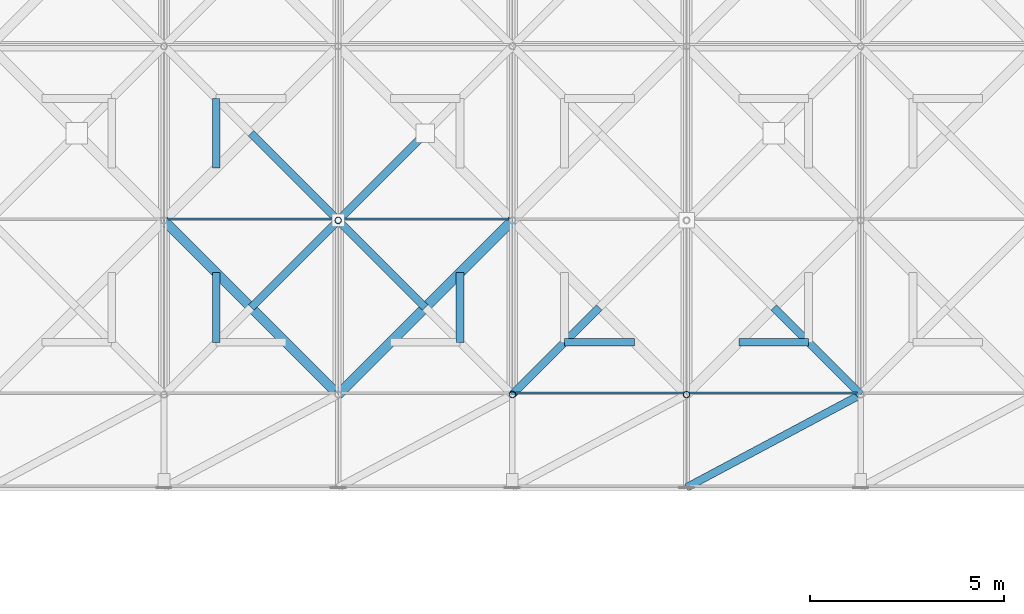
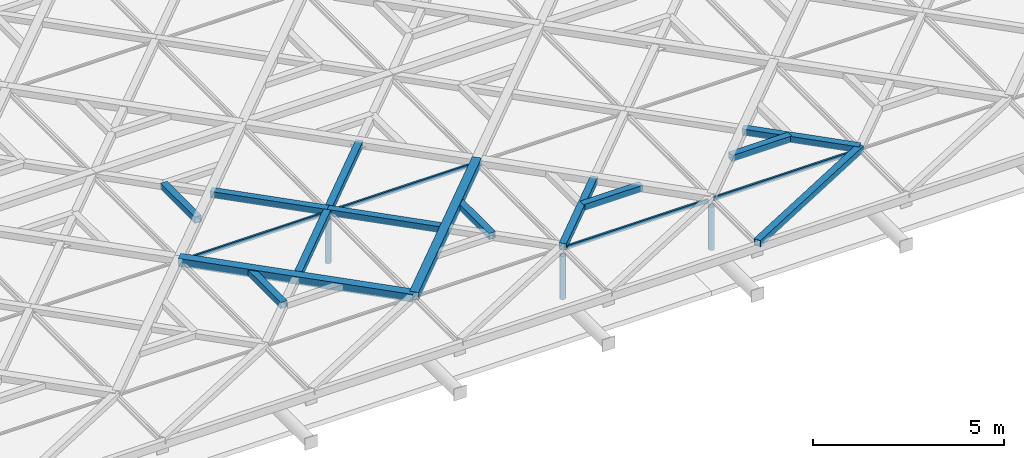
# One storey, part 19 of 80: 20 members, 4 elements without a shape of their own.
"""IFC4 building model written with IfcOpenShell, lengths in metres."""

import ifcopenshell
import ifcopenshell.guid

model = None  # the IFC model being written
_history = None  # IfcOwnerHistory: only IFC2X3 demands one
_inside = {}  # id of a spatial element -> (the spatial element, [elements in it])
_under = {}  # id of a project, library or spatial element -> (it, [spatial elements below it])
_declared = {}  # id of a project -> (the project, [libraries it declares])
_typed = {}  # id of a type object -> (the type object, [elements of that type])
_made_of = {}  # id of a material, layer set ... -> (it, [elements and type objects made of it])


def new_model(schema):
    """Start an empty IFC model of exactly this schema.

    Asked for "IFC4X3", IfcOpenShell would pick the latest addendum, in which some entities
    have other attributes; the version numbers below select the first issue.
    IFC2X3 requires an IfcOwnerHistory on every rooted entity: one is made here for all.
    """
    global model, _history
    if schema == "IFC4X3":
        model = ifcopenshell.file(schema_version=(4, 3, 0, 0))
    else:
        model = ifcopenshell.file(schema=schema)
    _inside.clear()
    _under.clear()
    _declared.clear()
    _typed.clear()
    _made_of.clear()
    _history = None
    if model.schema == "IFC2X3":
        org = make("IfcOrganization", Name="unknown")
        user = make(
            "IfcPersonAndOrganization",
            ThePerson=make("IfcPerson", FamilyName="unknown"),
            TheOrganization=org,
        )
        app = make(
            "IfcApplication",
            ApplicationDeveloper=org,
            Version="unknown",
            ApplicationFullName="unknown",
            ApplicationIdentifier="unknown",
        )
        _history = make(
            "IfcOwnerHistory",
            OwningUser=user,
            OwningApplication=app,
            ChangeAction="ADDED",
            CreationDate=0,
        )
    return model


def make(cls, **values):
    """One entity of the class cls with the attributes given. An attribute that is None is left unset."""
    return model.create_entity(
        cls, **{name: value for name, value in values.items() if value is not None}
    )


def rooted(cls, **values):
    """An entity with a GlobalId (a new one), such as an element, a storey or a relation."""
    return make(cls, GlobalId=ifcopenshell.guid.new(), OwnerHistory=_history, **values)


def si_unit(unit_type, name, prefix=None):
    """IfcSIUnit, for example si_unit("LENGTHUNIT", "METRE", prefix="MILLI")."""
    return make("IfcSIUnit", UnitType=unit_type, Prefix=prefix, Name=name)


def assignment(units):
    """IfcUnitAssignment: the units of a project."""
    return None if units is None else make("IfcUnitAssignment", Units=units)


def point(xyz):
    """IfcCartesianPoint."""
    return None if xyz is None else make("IfcCartesianPoint", Coordinates=xyz)


def direction(xyz):
    """IfcDirection."""
    return None if xyz is None else make("IfcDirection", DirectionRatios=xyz)


def frame(location, z_axis=None, x_axis=None):
    """IfcAxis2Placement3D, a coordinate frame: its origin and axes. An axis left out is left unset."""
    return make(
        "IfcAxis2Placement3D",
        Location=point(location),
        Axis=direction(z_axis),
        RefDirection=direction(x_axis),
    )


def frame_2d(location, x_axis=None):
    """IfcAxis2Placement2D, a coordinate frame in the plane: its origin and x axis."""
    return make(
        "IfcAxis2Placement2D", Location=point(location), RefDirection=direction(x_axis)
    )


def origin():
    """The frame at (0, 0, 0) with its axes left unset."""
    return frame((0.0, 0.0, 0.0))


def origin_2d():
    """The frame at (0, 0) in the plane with its x axis left unset."""
    return frame_2d((0.0, 0.0))


def place(relative_to, where):
    """IfcLocalPlacement: puts the frame where relative to a parent placement (None: the world)."""
    return make(
        "IfcLocalPlacement", PlacementRelTo=relative_to, RelativePlacement=where
    )


def context(
    kind, dimensions, precision=None, world=None, true_north=None, identifier=None
):
    """IfcGeometricRepresentationContext, for example the 3D "Model" context."""
    return make(
        "IfcGeometricRepresentationContext",
        ContextIdentifier=identifier,
        ContextType=kind,
        CoordinateSpaceDimension=dimensions,
        Precision=precision,
        WorldCoordinateSystem=world,
        TrueNorth=true_north,
    )


def subcontext(parent, identifier, kind, view, scale=None):
    """IfcGeometricRepresentationSubContext, for example "Body" below "Model"."""
    return make(
        "IfcGeometricRepresentationSubContext",
        ContextIdentifier=identifier,
        ContextType=kind,
        ParentContext=parent,
        TargetScale=scale,
        TargetView=view,
    )


def project(units=None, contexts=None):
    """IfcProject with its units and contexts."""
    return rooted(
        "IfcProject",
        Name="project",
        RepresentationContexts=contexts,
        UnitsInContext=assignment(units),
    )


def spatial(cls, under=None, at=None, **own):
    """A site, building, storey or space (cls), placed at a placement, below another one or the project."""
    s = rooted(cls, ObjectPlacement=at, **own)
    if under is not None:
        _under.setdefault(under.id(), (under, []))[1].append(s)
    return s


def profile(cls, at=None, kind="AREA", **sizes):
    """A parametric profile (cls). Its sizes go by their IFC names, for example OverallWidth=200.0."""
    return make(cls, ProfileType=kind, Position=at, **sizes)


def rectangle(**sizes):
    """IfcRectangleProfileDef."""
    return profile("IfcRectangleProfileDef", **sizes)


def hollow_rectangle(**sizes):
    """IfcRectangleHollowProfileDef."""
    return profile("IfcRectangleHollowProfileDef", **sizes)


def hollow_circle(**sizes):
    """IfcCircleHollowProfileDef."""
    return profile("IfcCircleHollowProfileDef", **sizes)


def extrude(swept, where, along, depth):
    """IfcExtrudedAreaSolid: the profile swept, set in the frame where, extruded along a direction by depth."""
    return make(
        "IfcExtrudedAreaSolid",
        SweptArea=swept,
        Position=where,
        ExtrudedDirection=direction(along),
        Depth=depth,
    )


def shape(context_of_items, identifier, shape_type, items):
    """IfcShapeRepresentation: the items that make up one representation, for example the "Body"."""
    return make(
        "IfcShapeRepresentation",
        ContextOfItems=context_of_items,
        RepresentationIdentifier=identifier,
        RepresentationType=shape_type,
        Items=items,
    )


def material(Name=None, Category=None):
    """IfcMaterial."""
    return make("IfcMaterial", Name=Name, Category=Category)


def material_profile(
    of_material, cross_section, Name=None, Category=None, Priority=None
):
    """IfcMaterialProfile: a cross section and its material."""
    return make(
        "IfcMaterialProfile",
        Name=Name,
        Material=of_material,
        Profile=cross_section,
        Priority=Priority,
        Category=Category,
    )


def profile_set(profiles, Name=None, composite=None):
    """IfcMaterialProfileSet."""
    return make(
        "IfcMaterialProfileSet",
        Name=Name,
        MaterialProfiles=profiles,
        CompositeProfile=composite,
    )


def made_of(thing, what):
    """Note that an element or type object is made of a material, layer set ...; save() writes the relation."""
    if what is not None:
        _made_of.setdefault(what.id(), (what, []))[1].append(thing)
    return thing


def type_object(cls, material=None, **own):
    """A type object (cls), such as IfcWallType, which elements share."""
    return made_of(rooted(cls, **own), material)


def element(
    cls,
    number,
    at=None,
    inside=None,
    cuts=None,
    type_object=None,
    material=None,
    context=None,
    identifier="Body",
    shape_type=None,
    held_by="IfcProductDefinitionShape",
    body=None,
    shapes=None,
    **own,
):
    """One element of the class cls, such as IfcWall. Its Tag is "e" and its number.

    at: its placement. inside: the storey or other place that contains it. cuts: it is an
    opening in that element (IfcRelVoidsElement). A single representation is given by context,
    identifier, shape_type and body (its items); several are given by shapes. held_by: the class
    of the entity that holds the representations. save() writes the other relations.
    """
    e = rooted(cls, Tag="e%d" % number, ObjectPlacement=at, **own)
    if body is not None:
        shapes = [shape(context, identifier, shape_type, body)]
    if shapes is not None:
        e.Representation = make(held_by, Representations=shapes)
    if inside is not None:
        _inside.setdefault(inside.id(), (inside, []))[1].append(e)
    if cuts is not None:
        rooted(
            "IfcRelVoidsElement", RelatingBuildingElement=cuts, RelatedOpeningElement=e
        )
    if type_object is not None:
        _typed.setdefault(type_object.id(), (type_object, []))[1].append(e)
    return made_of(e, material)


def aggregate(whole, parts):
    """IfcRelAggregates: a whole, such as a stair, and the parts it consists of."""
    return rooted("IfcRelAggregates", RelatingObject=whole, RelatedObjects=parts)


def save(model, path):
    """Write the relations noted so far, then the file.

    IfcRelAggregates (storeys below a building ...), IfcRelContainedInSpatialStructure (elements
    in a storey), IfcRelDefinesByType, IfcRelAssociatesMaterial and IfcRelDeclares: one each for
    every whole, place, type object, material and project.
    """
    for whole, parts in _under.values():
        aggregate(whole, parts)
    for where, things in _inside.values():
        rooted(
            "IfcRelContainedInSpatialStructure",
            RelatedElements=things,
            RelatingStructure=where,
        )
    for kind, things in _typed.values():
        rooted("IfcRelDefinesByType", RelatedObjects=things, RelatingType=kind)
    for what, things in _made_of.values():
        rooted("IfcRelAssociatesMaterial", RelatedObjects=things, RelatingMaterial=what)
    for by, libraries in _declared.values():
        rooted("IfcRelDeclares", RelatingContext=by, RelatedDefinitions=libraries)
    model.write(path)


model = new_model("IFC4")

# Units and contexts
model_context = context("Model", 3, precision=1e-05, world=origin(), true_north=direction((0.0, 1.0)))
body_context = subcontext(model_context, "Body", "Model", "MODEL_VIEW")
ifc_project = project(units=[si_unit("LENGTHUNIT", "METRE"), si_unit("AREAUNIT", "SQUARE_METRE"), si_unit("VOLUMEUNIT", "CUBIC_METRE"), si_unit("PLANEANGLEUNIT", "RADIAN"), si_unit("MASSUNIT", "GRAM", prefix="KILO"), si_unit("THERMODYNAMICTEMPERATUREUNIT", "KELVIN"), si_unit("POWERUNIT", "WATT")], contexts=[model_context])

# Site, building, storey
site_placement = place(None, origin())
site = spatial("IfcSite", under=ifc_project, at=site_placement, CompositionType="ELEMENT")
building_placement = place(site_placement, origin())
building = spatial("IfcBuilding", under=site, at=building_placement, Name="Tallowbark Science Centre", CompositionType="ELEMENT")
storey_placement = place(building_placement, frame((0.0, 0.0, 25.949951171875)))
storey = spatial("IfcBuildingStorey", under=building, at=storey_placement, Name="ROOF", CompositionType="ELEMENT", Elevation=25.949951171875)

# Curtain wall, member
ifc_material_1 = material(Name="Blue-Tinted Laminated Low-E Skylight Glass", Category="glass")
curtain_wall_type = type_object("IfcCurtainWallType", Name="CW-SKY-ROOF", PredefinedType="NOTDEFINED", material=ifc_material_1)
curtain_wall_1_placement = place(storey_placement, origin())
curtain_wall_1 = element("IfcCurtainWall", 1, at=curtain_wall_1_placement, inside=storey, type_object=curtain_wall_type, Name="Exhibition Star-Screen Skylight Bay 4", PredefinedType="NOTDEFINED")
ifc_material_2 = material(Name="Anodised Architectural Aluminium Alloy 6063-T6", Category="aluminium")
ifc_material_profile_1 = material_profile(ifc_material_2, rectangle(XDim=0.054931640625, YDim=0.1201171875, at=origin_2d()), Name="ALU55x120")
ifc_profile_set_1 = profile_set([ifc_material_profile_1], Name="Anodised Architectural Aluminium Alloy 6063-T6")
member_type_1 = type_object("IfcMemberType", Name="CWM-SKY-TRN", PredefinedType="USERDEFINED", material=ifc_profile_set_1)
member_1_placement = place(storey_placement, frame((67.580078125, 9.0400390625, 0.35205078125), z_axis=(1.0, 0.0, 0.0), x_axis=(0.0, 1.0, 0.0)))
member_1 = element("IfcMember", 2, at=member_1_placement, type_object=member_type_1, Name="Skylight Bay 4 Transom 3", ObjectType="TRANSOM", PredefinedType="USERDEFINED", context=body_context, shape_type="SweptSolid", body=[
    extrude(rectangle(XDim=0.054931640625, YDim=0.1201171875, at=origin_2d()), origin(), (0.0, 0.0, 1.0), 4.33984375),
])
aggregate(curtain_wall_1, [member_1])

curtain_wall_2_placement = place(storey_placement, origin())
curtain_wall_2 = element("IfcCurtainWall", 3, at=curtain_wall_2_placement, inside=storey, type_object=curtain_wall_type, Name="Exhibition Star-Screen Skylight Bay 5", PredefinedType="NOTDEFINED")
member_2_placement = place(storey_placement, frame((72.080078125, 9.0400390625, 0.35205078125), z_axis=(1.0, 0.0, 0.0), x_axis=(0.0, 1.0, 0.0)))
member_2 = element("IfcMember", 4, at=member_2_placement, type_object=member_type_1, Name="Skylight Bay 5 Transom 3", ObjectType="TRANSOM", PredefinedType="USERDEFINED", context=body_context, shape_type="SweptSolid", body=[
    extrude(rectangle(XDim=0.054931640625, YDim=0.1201171875, at=origin_2d()), origin(), (0.0, 0.0, 1.0), 4.33984375),
])
aggregate(curtain_wall_2, [member_2])

curtain_wall_3_placement = place(storey_placement, origin())
curtain_wall_3 = element("IfcCurtainWall", 5, at=curtain_wall_3_placement, inside=storey, type_object=curtain_wall_type, Name="Exhibition Star-Screen Skylight Bay 6", PredefinedType="NOTDEFINED")
member_3_placement = place(storey_placement, frame((76.580078125, 4.5400390625, 0.35205078125), z_axis=(1.0, 0.0, 0.0), x_axis=(0.0, 1.0, 0.0)))
member_3 = element("IfcMember", 6, at=member_3_placement, type_object=member_type_1, Name="Skylight Bay 6 Transom 2", ObjectType="TRANSOM", PredefinedType="USERDEFINED", context=body_context, shape_type="SweptSolid", body=[
    extrude(rectangle(XDim=0.054931640625, YDim=0.1201171875, at=origin_2d()), origin(), (0.0, 0.0, 1.0), 4.33984375),
])
aggregate(curtain_wall_3, [member_3])

curtain_wall_4_placement = place(storey_placement, origin())
curtain_wall_4 = element("IfcCurtainWall", 7, at=curtain_wall_4_placement, inside=storey, type_object=curtain_wall_type, Name="Exhibition Star-Screen Skylight Bay 7", PredefinedType="NOTDEFINED")
member_4_placement = place(storey_placement, frame((81.080078125, 4.5400390625, 0.35205078125), z_axis=(1.0, 0.0, 0.0), x_axis=(0.0, 1.0, 0.0)))
member_4 = element("IfcMember", 8, at=member_4_placement, type_object=member_type_1, Name="Skylight Bay 7 Transom 2", ObjectType="TRANSOM", PredefinedType="USERDEFINED", context=body_context, shape_type="SweptSolid", body=[
    extrude(rectangle(XDim=0.054931640625, YDim=0.1201171875, at=origin_2d()), origin(), (0.0, 0.0, 1.0), 4.33984375),
])
aggregate(curtain_wall_4, [member_4])

# Members
ifc_material_3 = material(Name="White Architectural Painted Steel Grade C350L0 (350 MPa)", Category="steel")
ifc_material_profile_2 = material_profile(ifc_material_3, hollow_rectangle(XDim=0.25, YDim=0.25, WallThickness=0.009033203125, at=origin_2d()), Name="250x250x9.0SHS")
ifc_profile_set_2 = profile_set([ifc_material_profile_2], Name="White Architectural Painted Steel Grade C350L0 (350 MPa)")
member_type_2 = type_object("IfcMemberType", Name="SCR-CHD200", PredefinedType="CHORD", material=ifc_profile_set_2)
for number, where, z_axis, x_axis, name in (
    (9, (72.0, 4.5, 0.449951171875), (0.707106781187, 0.707106781187, 0.0), (-0.707106781187, 0.707106781187, 0.0), "Star Screen Octagram Diamond Chord TOP-58-1"),
    (10, (67.5, 9.0, 0.449951171875), (0.707106781187, -0.707106781187, 0.0), (0.707106781187, 0.707106781187, 0.0), "Star Screen Octagram Diamond Chord TOP-58-4"),
):
    element("IfcMember", number, at=place(storey_placement, frame(where, z_axis=z_axis, x_axis=x_axis)), inside=storey, type_object=member_type_2, Name=name, PredefinedType="CHORD", context=body_context, shape_type="SweptSolid", body=[
        extrude(hollow_rectangle(XDim=0.25, YDim=0.25, WallThickness=0.009033203125, at=origin_2d()), origin(), (0.0, 0.0, 1.0), 6.364013671875),
    ])
ifc_material_profile_3 = material_profile(ifc_material_3, hollow_rectangle(XDim=0.199951171875, YDim=0.199951171875, WallThickness=0.009033203125, at=origin_2d()), Name="200x200x9.0SHS")
ifc_profile_set_3 = profile_set([ifc_material_profile_3], Name="White Architectural Painted Steel Grade C350L0 (350 MPa)")
member_type_3 = type_object("IfcMemberType", Name="SCR-STAR139", PredefinedType="BRACE", material=ifc_profile_set_3)
member_5_placement = place(storey_placement, frame((69.75, 6.75, 0.449951171875), z_axis=(0.707106781187, 0.707106781187, 0.0), x_axis=(-0.707106781187, 0.707106781187, 0.0)))
element("IfcMember", 11, at=member_5_placement, inside=storey, type_object=member_type_3, Name="Star Screen Continuous X-Diagonal D1M TOP-58", PredefinedType="BRACE", context=body_context, shape_type="SweptSolid", body=[
    extrude(hollow_rectangle(XDim=0.199951171875, YDim=0.199951171875, WallThickness=0.009033203125, at=origin_2d()), origin(), (0.0, 0.0, 1.0), 6.364013671875),
])
for number, where, z_axis, x_axis, name in (
    (12, (69.75, 11.25, 0.449951171875), (0.707106781187, -0.707106781187, 0.0), (0.707106781187, 0.707106781187, 0.0), "Star Screen Split X-Diagonal D2B TOP-58"),
    (13, (72.0, 9.0, 0.449951171875), (0.707106781187, -0.707106781187, 0.0), (0.707106781187, 0.707106781187, 0.0), "Star Screen Split X-Diagonal D2C TOP-58"),
    (14, (76.5, 4.5, 0.449951171875), (0.707106781187, 0.707106781187, 0.0), (-0.707106781187, 0.707106781187, 0.0), "Star Screen Continuous X-Diagonal D1A TOP-62"),
    (15, (83.25, 6.75, 0.449951171875), (0.707106781187, -0.707106781187, 0.0), (0.707106781187, 0.707106781187, 0.0), "Star Screen Split X-Diagonal D2D TOP-62"),
):
    element("IfcMember", number, at=place(storey_placement, frame(where, z_axis=z_axis, x_axis=x_axis)), inside=storey, type_object=member_type_3, Name=name, PredefinedType="BRACE", context=body_context, shape_type="SweptSolid", body=[
        extrude(hollow_rectangle(XDim=0.199951171875, YDim=0.199951171875, WallThickness=0.009033203125, at=origin_2d()), origin(), (0.0, 0.0, 1.0), 3.181884765625),
    ])
member_6_placement = place(storey_placement, frame((81.0, 2.10009765625, 0.449951171875), z_axis=(0.882360891967, 0.470573327259, 0.0), x_axis=(-0.470573327259, 0.882360891967, 0.0)))
element("IfcMember", 16, at=member_6_placement, inside=storey, type_object=member_type_3, Name="Top Perimeter Gap Star Diagonal 7-1", PredefinedType="BRACE", context=body_context, shape_type="SweptSolid", body=[
    extrude(hollow_rectangle(XDim=0.199951171875, YDim=0.199951171875, WallThickness=0.009033203125, at=origin_2d()), origin(), (0.0, 0.0, 1.0), 5.099853515625),
])
ifc_material_profile_4 = material_profile(ifc_material_3, hollow_rectangle(XDim=0.199951171875, YDim=0.199951171875, WallThickness=0.009033203125, at=origin_2d()), Name="200x200x9.0SHS")
ifc_profile_set_4 = profile_set([ifc_material_profile_4], Name="White Architectural Painted Steel Grade C350L0 (350 MPa)")
member_type_4 = type_object("IfcMemberType", Name="SCR-SUB150", PredefinedType="BRACE", material=ifc_profile_set_4)
for number, where, z_axis, x_axis, name in (
    (17, (68.85009765625, 5.85009765625, 0.449951171875), (0.0, 1.0, 0.0), (-1.0, 0.0, 0.0), "Star Screen Octagram Point Ray TOP-58-2"),
    (18, (75.14990234375, 5.85009765625, 0.449951171875), (0.0, 1.0, 0.0), (-1.0, 0.0, 0.0), "Star Screen Octagram Point Ray TOP-58-4"),
    (19, (68.85009765625, 12.14990234375, 0.449951171875), (0.0, -1.0, 0.0), (1.0, 0.0, 0.0), "Star Screen Octagram Point Ray TOP-58-8"),
    (20, (77.85009765625, 5.85009765625, 0.449951171875), (1.0, 0.0, 0.0), (0.0, 1.0, 0.0), "Star Screen Octagram Point Ray TOP-62-1"),
    (21, (84.14990234375, 5.85009765625, 0.449951171875), (-1.0, 0.0, 0.0), (0.0, -1.0, 0.0), "Star Screen Octagram Point Ray TOP-62-3"),
):
    element("IfcMember", number, at=place(storey_placement, frame(where, z_axis=z_axis, x_axis=x_axis)), inside=storey, type_object=member_type_4, Name=name, PredefinedType="BRACE", context=body_context, shape_type="SweptSolid", body=[
        extrude(hollow_rectangle(XDim=0.199951171875, YDim=0.199951171875, WallThickness=0.009033203125, at=origin_2d()), origin(), (0.0, 0.0, 1.0), 1.7998046875),
    ])
ifc_material_profile_5 = material_profile(ifc_material_3, hollow_circle(Radius=0.084228515625, WallThickness=0.007080078125, at=origin_2d()), Name="168.3x7.1CHS")
ifc_profile_set_5 = profile_set([ifc_material_profile_5], Name="White Architectural Painted Steel Grade C350L0 (350 MPa)")
member_type_5 = type_object("IfcMemberType", Name="TR-WEB168", PredefinedType="BRACE", material=ifc_profile_set_5)
for number, where, z_axis, x_axis, name in (
    (22, (72.0, 9.0, -1.199951171875), (0.0, 0.0, 1.0), (1.0, 0.0, 0.0), "Exhibition Roof Truss Web 4-9"),
    (23, (76.5, 4.5, -1.199951171875), (0.0, 0.0, 1.0), (1.0, 0.0, 0.0), "Exhibition Roof Truss Web 5-4.5"),
    (24, (81.0, 4.5, -1.199951171875), (0.0, 0.0, 1.0), (1.0, 0.0, 0.0), "Exhibition Roof Truss Web 6-4.5"),
):
    element("IfcMember", number, at=place(storey_placement, frame(where, z_axis=z_axis, x_axis=x_axis)), inside=storey, type_object=member_type_5, Name=name, PredefinedType="BRACE", context=body_context, shape_type="SweptSolid", body=[
        extrude(hollow_circle(Radius=0.084228515625, WallThickness=0.007080078125, at=origin_2d()), origin(), (0.0, 0.0, 1.0), 1.389892578125),
    ])

save(model, "model.ifc")
